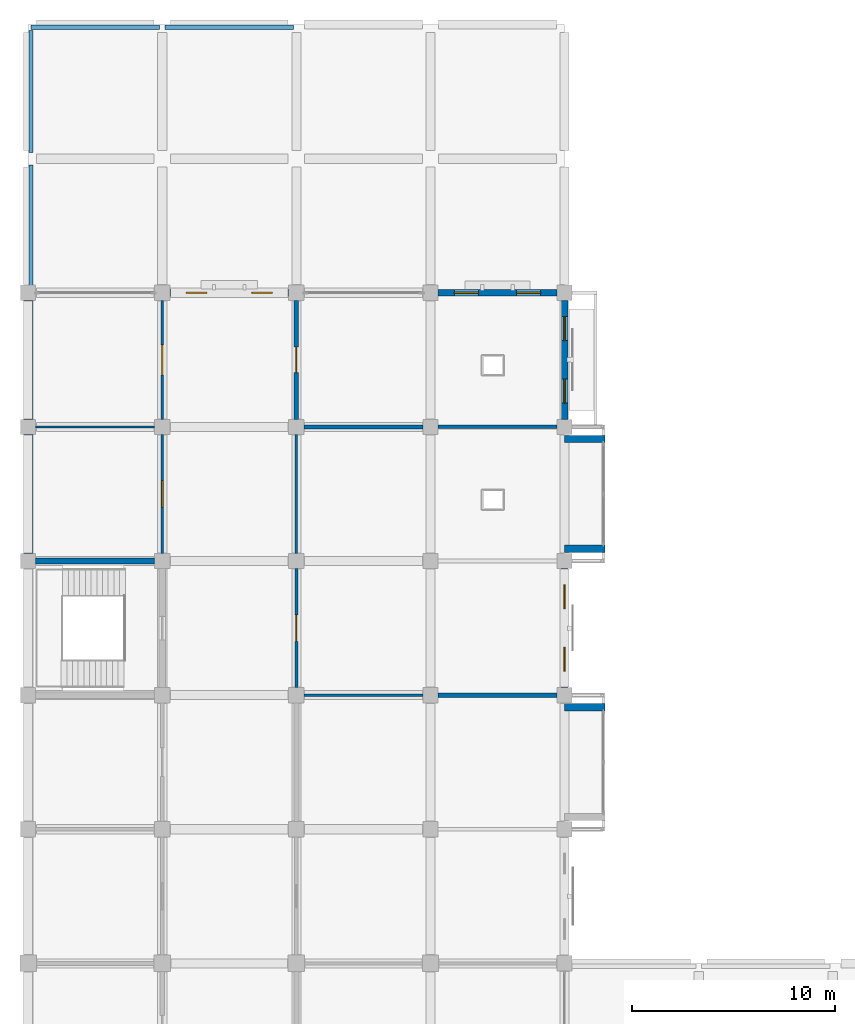
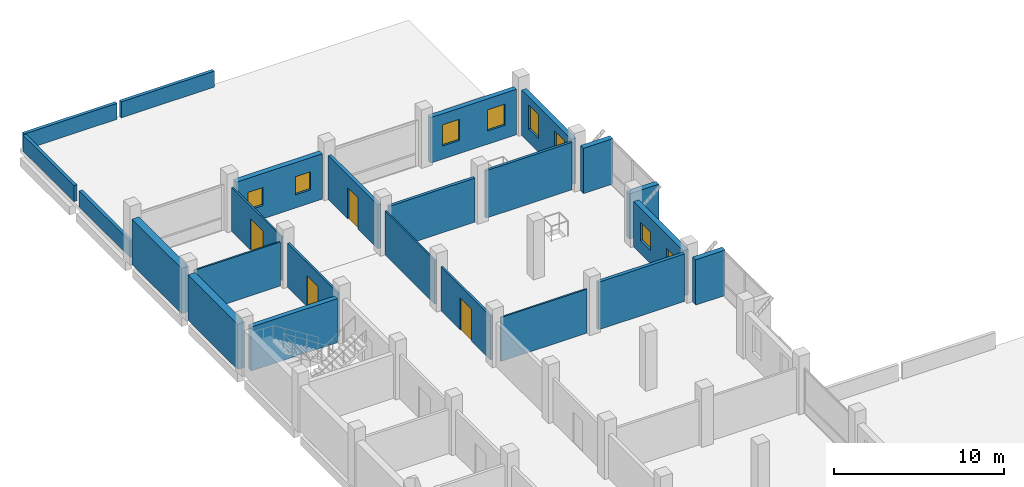
# One storey, part 18 of 23: 24 walls, 8 windows, 4 doors, 12 openings.
"""IFC4 building model written with IfcOpenShell, lengths in metres."""

from ifc_helpers import new_model, si_unit, direction, frame, frame_2d, origin, place, context, subcontext, project, spatial, rectangle, extrude, material, layer, layer_set, type_object, element, fill, save


model = new_model("IFC4")

# Units and contexts
model_context = context("Model", 3, precision=1e-05, world=origin(), true_north=direction((0.0, 1.0)))
body_context = subcontext(model_context, "Body", "Model", "MODEL_VIEW")
ifc_project = project(units=[si_unit("LENGTHUNIT", "METRE"), si_unit("AREAUNIT", "SQUARE_METRE"), si_unit("VOLUMEUNIT", "CUBIC_METRE"), si_unit("PLANEANGLEUNIT", "RADIAN"), si_unit("MASSUNIT", "GRAM", prefix="KILO")], contexts=[model_context])

# Site, building, storey
site_placement = place(None, origin())
site = spatial("IfcSite", under=ifc_project, at=site_placement, CompositionType="ELEMENT")
building_placement = place(site_placement, origin())
building = spatial("IfcBuilding", under=site, at=building_placement, Name="Rusizi Kubbe Research Institute", CompositionType="ELEMENT")
storey_placement = place(building_placement, frame((0.0, 0.0, 18.60009765625)))
storey = spatial("IfcBuildingStorey", under=building, at=storey_placement, Name="L04", CompositionType="ELEMENT", Elevation=18.60009765625)

# Wall
ifc_material_1 = material(Name="Concrete C45/55", Category="concrete")
ifc_layer_1 = layer(ifc_material_1, 0.31494140625)
ifc_layer_set_1 = layer_set([ifc_layer_1], Name="Concrete C45/55")
wall_type_1 = type_object("IfcWallType", Name="CRW-02", PredefinedType="SHEAR", material=ifc_layer_set_1)
wall_1_placement = place(storey_placement, frame((0.375, 72.60009765625, 0.0), z_axis=(0.0, 0.0, 1.0), x_axis=(1.0, 0.0, 0.0)))
element("IfcWall", 1, at=wall_1_placement, inside=storey, type_object=wall_type_1, Name="Stair Core Shear Wall ST5 L04 N", PredefinedType="SHEAR", context=body_context, shape_type="SweptSolid", body=[
    extrude(rectangle(XDim=5.85009765625, YDim=0.31494140625, at=frame_2d((2.925048828125, 0.0))), origin(), (0.0, 0.0, 1.0), 3.159912109375),
])

# Wall, openings, windows
ifc_material_2 = material(Name="Volcanic Basalt Ashlar Masonry", Category="masonry")
ifc_layer_2 = layer(ifc_material_2, 0.35498046875)
ifc_layer_set_2 = layer_set([ifc_layer_2], Name="Volcanic Basalt Ashlar Masonry")
wall_type_2 = type_object("IfcWallType", Name="EW-06", PredefinedType="SOLIDWALL", material=ifc_layer_set_2)
wall_2_placement = place(storey_placement, frame((6.97509765625, 85.800048828125, 0.0), z_axis=(0.0, 0.0, 1.0), x_axis=(1.0, 0.0, 0.0)))
wall_2 = element("IfcWall", 2, at=wall_2_placement, inside=storey, type_object=wall_type_2, Name="Ablaq Stone Exterior Wall L04 H1-13", PredefinedType="SOLIDWALL", context=body_context, shape_type="SweptSolid", body=[
    extrude(rectangle(XDim=5.849853515625, YDim=0.35498046875, at=frame_2d((2.9248046875, 0.0))), origin(), (0.0, 0.0, 1.0), 3.260009765625),
])
opening_1_placement = place(wall_2_placement, frame((0.800048828125, 0.0, 0.949951171875)))
opening_1 = element("IfcOpeningElement", 3, at=opening_1_placement, cuts=wall_2, Name="Opening WN-05", PredefinedType="OPENING", context=body_context, shape_type="SweptSolid", body=[
    extrude(rectangle(XDim=1.02001953125, YDim=1.300048828125, at=frame_2d((0.510009765625, 0.64990234375))), frame((0.0, 0.1875, 0.0), z_axis=(0.0, -1.0, 0.0), x_axis=(1.0, 0.0, 0.0)), (0.0, 0.0, 1.0), 0.375),
])
opening_2_placement = place(wall_2_placement, frame((4.030029296875, 0.0, 0.949951171875)))
opening_2 = element("IfcOpeningElement", 4, at=opening_2_placement, cuts=wall_2, Name="Opening WN-05", PredefinedType="OPENING", context=body_context, shape_type="SweptSolid", body=[
    extrude(rectangle(XDim=1.02001953125, YDim=1.300048828125, at=frame_2d((0.510009765625, 0.64990234375))), frame((0.0, 0.1875, 0.0), z_axis=(0.0, -1.0, 0.0), x_axis=(1.0, 0.0, 0.0)), (0.0, 0.0, 1.0), 0.375),
])
ifc_material_3 = material(Name="Aluminium Frame and Solar-Control Double Glazing", Category="glass")
window_type_1 = type_object("IfcWindowType", Name="WN-05", PartitioningType="SINGLE_PANEL", PredefinedType="WINDOW", material=ifc_material_3)
window_1_placement = place(opening_1_placement, origin())
window_1 = element("IfcWindow", 5, at=window_1_placement, inside=storey, type_object=window_type_1, Name="Casement Window WN-05 L04", OverallHeight=1.300048828125, OverallWidth=1.02001953125, PartitioningType="SINGLE_PANEL", PredefinedType="WINDOW", context=body_context, shape_type="SweptSolid", body=[
    extrude(rectangle(XDim=1.02001953125, YDim=1.300048828125, at=frame_2d((0.510009765625, 0.64990234375))), frame((0.0, 0.030029296875, 0.0), z_axis=(0.0, -1.0, 0.0), x_axis=(1.0, 0.0, 0.0)), (0.0, 0.0, 1.0), 0.06005859375),
])
fill(opening_1, window_1)
window_2_placement = place(opening_2_placement, origin())
window_2 = element("IfcWindow", 6, at=window_2_placement, inside=storey, type_object=window_type_1, Name="Casement Window WN-05 L04", OverallHeight=1.300048828125, OverallWidth=1.02001953125, PartitioningType="SINGLE_PANEL", PredefinedType="WINDOW", context=body_context, shape_type="SweptSolid", body=[
    extrude(rectangle(XDim=1.02001953125, YDim=1.300048828125, at=frame_2d((0.510009765625, 0.64990234375))), frame((0.0, 0.030029296875, 0.0), z_axis=(0.0, -1.0, 0.0), x_axis=(1.0, 0.0, 0.0)), (0.0, 0.0, 1.0), 0.06005859375),
])
fill(opening_2, window_2)

# Wall
wall_3_placement = place(storey_placement, frame((26.39990234375, 65.39990234375, 0.0), z_axis=(0.0, 0.0, 1.0), x_axis=(1.0, 0.0, 0.0)))
element("IfcWall", 7, at=wall_3_placement, inside=storey, type_object=wall_type_2, Name="Cumba Return Wall N L04 (4,9)", PredefinedType="SOLIDWALL", context=body_context, shape_type="SweptSolid", body=[
    extrude(rectangle(XDim=2.0, YDim=0.35498046875, at=frame_2d((1.0, 0.0))), origin(), (0.0, 0.0, 1.0), 3.260009765625),
])

# Wall, openings, windows
wall_4_placement = place(storey_placement, frame((26.39990234375, 66.375, 0.0), z_axis=(0.0, 0.0, 1.0), x_axis=(0.0, 1.0, 0.0)))
wall_4 = element("IfcWall", 8, at=wall_4_placement, inside=storey, type_object=wall_type_2, Name="Ablaq Stone Exterior Wall L04 V4-10", PredefinedType="SOLIDWALL", context=body_context, shape_type="SweptSolid", body=[
    extrude(rectangle(XDim=5.85009765625, YDim=0.35498046875, at=frame_2d((2.925048828125, 0.0))), origin(), (0.0, 0.0, 1.0), 3.260009765625),
])
opening_3_placement = place(wall_4_placement, frame((0.800048828125, 0.0, 0.949951171875)))
opening_3 = element("IfcOpeningElement", 9, at=opening_3_placement, cuts=wall_4, Name="Opening WN-09", PredefinedType="OPENING", context=body_context, shape_type="SweptSolid", body=[
    extrude(rectangle(XDim=1.179931640625, YDim=1.300048828125, at=frame_2d((0.58984375, 0.64990234375))), frame((0.0, 0.1875, 0.0), z_axis=(0.0, -1.0, 0.0), x_axis=(1.0, 0.0, 0.0)), (0.0, 0.0, 1.0), 0.375),
])
opening_4_placement = place(wall_4_placement, frame((3.8701171875, 0.0, 0.949951171875)))
opening_4 = element("IfcOpeningElement", 10, at=opening_4_placement, cuts=wall_4, Name="Opening WN-09", PredefinedType="OPENING", context=body_context, shape_type="SweptSolid", body=[
    extrude(rectangle(XDim=1.179931640625, YDim=1.300048828125, at=frame_2d((0.58984375, 0.64990234375))), frame((0.0, 0.1875, 0.0), z_axis=(0.0, -1.0, 0.0), x_axis=(1.0, 0.0, 0.0)), (0.0, 0.0, 1.0), 0.375),
])
ifc_material_4 = material(Name="Aluminium Frame and Solar-Control Double Glazing", Category="glass")
window_type_2 = type_object("IfcWindowType", Name="WN-09", PartitioningType="SINGLE_PANEL", PredefinedType="WINDOW", material=ifc_material_4)
window_3_placement = place(opening_3_placement, origin())
window_3 = element("IfcWindow", 11, at=window_3_placement, inside=storey, type_object=window_type_2, Name="Casement Window WN-09 L04", OverallHeight=1.300048828125, OverallWidth=1.179931640625, PartitioningType="SINGLE_PANEL", PredefinedType="WINDOW", context=body_context, shape_type="SweptSolid", body=[
    extrude(rectangle(XDim=1.179931640625, YDim=1.300048828125, at=frame_2d((0.58984375, 0.64990234375))), frame((0.0, 0.030029296875, 0.0), z_axis=(0.0, -1.0, 0.0), x_axis=(1.0, 0.0, 0.0)), (0.0, 0.0, 1.0), 0.06005859375),
])
fill(opening_3, window_3)
window_4_placement = place(opening_4_placement, origin())
window_4 = element("IfcWindow", 12, at=window_4_placement, inside=storey, type_object=window_type_2, Name="Casement Window WN-09 L04", OverallHeight=1.300048828125, OverallWidth=1.179931640625, PartitioningType="SINGLE_PANEL", PredefinedType="WINDOW", context=body_context, shape_type="SweptSolid", body=[
    extrude(rectangle(XDim=1.179931640625, YDim=1.300048828125, at=frame_2d((0.58984375, 0.64990234375))), frame((0.0, 0.030029296875, 0.0), z_axis=(0.0, -1.0, 0.0), x_axis=(1.0, 0.0, 0.0)), (0.0, 0.0, 1.0), 0.06005859375),
])
fill(opening_4, window_4)

# Walls
for number, where, z_axis, x_axis, name in (
    (13, (26.39990234375, 73.199951171875, 0.0), (0.0, 0.0, 1.0), (1.0, 0.0, 0.0), "Cumba Return Wall S L04 (4,11)"),
    (14, (26.39990234375, 78.60009765625, 0.0), (0.0, 0.0, 1.0), (1.0, 0.0, 0.0), "Cumba Return Wall N L04 (4,11)"),
):
    element("IfcWall", number, at=place(storey_placement, frame(where, z_axis=z_axis, x_axis=x_axis)), inside=storey, type_object=wall_type_2, Name=name, PredefinedType="SOLIDWALL", context=body_context, shape_type="SweptSolid", body=[
        extrude(rectangle(XDim=2.0, YDim=0.35498046875, at=frame_2d((1.0, 0.0))), origin(), (0.0, 0.0, 1.0), 3.260009765625),
    ])

# Wall, openings, windows
ifc_material_5 = material(Name="Volcanic Basalt Ashlar Masonry", Category="masonry")
ifc_layer_3 = layer(ifc_material_5, 0.324951171875)
ifc_layer_set_3 = layer_set([ifc_layer_3], Name="Volcanic Basalt Ashlar Masonry")
wall_type_3 = type_object("IfcWallType", Name="EW-08", PredefinedType="SOLIDWALL", material=ifc_layer_set_3)
wall_5_placement = place(storey_placement, frame((20.175048828125, 85.800048828125, 0.0), z_axis=(0.0, 0.0, 1.0), x_axis=(1.0, 0.0, 0.0)))
wall_5 = element("IfcWall", 15, at=wall_5_placement, inside=storey, type_object=wall_type_3, Name="Ablaq Stone Exterior Wall L04 H3-13", PredefinedType="SOLIDWALL", context=body_context, shape_type="SweptSolid", body=[
    extrude(rectangle(XDim=5.849853515625, YDim=0.324951171875, at=frame_2d((2.9248046875, 0.0))), origin(), (0.0, 0.0, 1.0), 3.260009765625),
])
opening_5_placement = place(wall_5_placement, frame((0.800048828125, 0.0, 0.949951171875)))
opening_5 = element("IfcOpeningElement", 16, at=opening_5_placement, cuts=wall_5, Name="Opening WN-10", PredefinedType="OPENING", context=body_context, shape_type="SweptSolid", body=[
    extrude(rectangle(XDim=1.179931640625, YDim=1.52001953125, at=frame_2d((0.58984375, 0.760009765625))), frame((0.0, 0.17236328125, 0.0), z_axis=(0.0, -1.0, 0.0), x_axis=(1.0, 0.0, 0.0)), (0.0, 0.0, 1.0), 0.344970703125),
])
opening_6_placement = place(wall_5_placement, frame((3.8701171875, 0.0, 0.949951171875)))
opening_6 = element("IfcOpeningElement", 17, at=opening_6_placement, cuts=wall_5, Name="Opening WN-10", PredefinedType="OPENING", context=body_context, shape_type="SweptSolid", body=[
    extrude(rectangle(XDim=1.179931640625, YDim=1.52001953125, at=frame_2d((0.58984375, 0.760009765625))), frame((0.0, 0.17236328125, 0.0), z_axis=(0.0, -1.0, 0.0), x_axis=(1.0, 0.0, 0.0)), (0.0, 0.0, 1.0), 0.344970703125),
])
ifc_material_6 = material(Name="Aluminium Frame and Solar-Control Double Glazing", Category="glass")
window_type_3 = type_object("IfcWindowType", Name="WN-10", PartitioningType="SINGLE_PANEL", PredefinedType="WINDOW", material=ifc_material_6)
window_5_placement = place(opening_5_placement, origin())
window_5 = element("IfcWindow", 18, at=window_5_placement, inside=storey, type_object=window_type_3, Name="Casement Window WN-10 L04", OverallHeight=1.52001953125, OverallWidth=1.179931640625, PartitioningType="SINGLE_PANEL", PredefinedType="WINDOW", context=body_context, shape_type="SweptSolid", body=[
    extrude(rectangle(XDim=1.179931640625, YDim=1.52001953125, at=frame_2d((0.58984375, 0.760009765625))), frame((0.0, 0.030029296875, 0.0), z_axis=(0.0, -1.0, 0.0), x_axis=(1.0, 0.0, 0.0)), (0.0, 0.0, 1.0), 0.06005859375),
])
fill(opening_5, window_5)
window_6_placement = place(opening_6_placement, origin())
window_6 = element("IfcWindow", 19, at=window_6_placement, inside=storey, type_object=window_type_3, Name="Casement Window WN-10 L04", OverallHeight=1.52001953125, OverallWidth=1.179931640625, PartitioningType="SINGLE_PANEL", PredefinedType="WINDOW", context=body_context, shape_type="SweptSolid", body=[
    extrude(rectangle(XDim=1.179931640625, YDim=1.52001953125, at=frame_2d((0.58984375, 0.760009765625))), frame((0.0, 0.030029296875, 0.0), z_axis=(0.0, -1.0, 0.0), x_axis=(1.0, 0.0, 0.0)), (0.0, 0.0, 1.0), 0.06005859375),
])
fill(opening_6, window_6)

wall_6_placement = place(storey_placement, frame((26.39990234375, 79.574951171875, 0.0), z_axis=(0.0, 0.0, 1.0), x_axis=(0.0, 1.0, 0.0)))
wall_6 = element("IfcWall", 20, at=wall_6_placement, inside=storey, type_object=wall_type_3, Name="Ablaq Stone Exterior Wall L04 V4-12", PredefinedType="SOLIDWALL", context=body_context, shape_type="SweptSolid", body=[
    extrude(rectangle(XDim=5.85009765625, YDim=0.324951171875, at=frame_2d((2.925048828125, 0.0))), origin(), (0.0, 0.0, 1.0), 3.260009765625),
])
opening_7_placement = place(wall_6_placement, frame((0.800048828125, 0.0, 0.949951171875)))
opening_7 = element("IfcOpeningElement", 21, at=opening_7_placement, cuts=wall_6, Name="Opening WN-11", PredefinedType="OPENING", context=body_context, shape_type="SweptSolid", body=[
    extrude(rectangle(XDim=1.179931640625, YDim=1.739990234375, at=frame_2d((0.58984375, 0.8701171875))), frame((0.0, 0.17236328125, 0.0), z_axis=(0.0, -1.0, 0.0), x_axis=(1.0, 0.0, 0.0)), (0.0, 0.0, 1.0), 0.344970703125),
])
opening_8_placement = place(wall_6_placement, frame((3.8701171875, 0.0, 0.949951171875)))
opening_8 = element("IfcOpeningElement", 22, at=opening_8_placement, cuts=wall_6, Name="Opening WN-11", PredefinedType="OPENING", context=body_context, shape_type="SweptSolid", body=[
    extrude(rectangle(XDim=1.179931640625, YDim=1.739990234375, at=frame_2d((0.58984375, 0.8701171875))), frame((0.0, 0.17236328125, 0.0), z_axis=(0.0, -1.0, 0.0), x_axis=(1.0, 0.0, 0.0)), (0.0, 0.0, 1.0), 0.344970703125),
])
ifc_material_7 = material(Name="Aluminium Frame and Solar-Control Double Glazing", Category="glass")
window_type_4 = type_object("IfcWindowType", Name="WN-11", PartitioningType="SINGLE_PANEL", PredefinedType="WINDOW", material=ifc_material_7)
window_7_placement = place(opening_7_placement, origin())
window_7 = element("IfcWindow", 23, at=window_7_placement, inside=storey, type_object=window_type_4, Name="Casement Window WN-11 L04", OverallHeight=1.739990234375, OverallWidth=1.179931640625, PartitioningType="SINGLE_PANEL", PredefinedType="WINDOW", context=body_context, shape_type="SweptSolid", body=[
    extrude(rectangle(XDim=1.179931640625, YDim=1.739990234375, at=frame_2d((0.58984375, 0.8701171875))), frame((0.0, 0.030029296875, 0.0), z_axis=(0.0, -1.0, 0.0), x_axis=(1.0, 0.0, 0.0)), (0.0, 0.0, 1.0), 0.06005859375),
])
fill(opening_7, window_7)
window_8_placement = place(opening_8_placement, origin())
window_8 = element("IfcWindow", 24, at=window_8_placement, inside=storey, type_object=window_type_4, Name="Casement Window WN-11 L04", OverallHeight=1.739990234375, OverallWidth=1.179931640625, PartitioningType="SINGLE_PANEL", PredefinedType="WINDOW", context=body_context, shape_type="SweptSolid", body=[
    extrude(rectangle(XDim=1.179931640625, YDim=1.739990234375, at=frame_2d((0.58984375, 0.8701171875))), frame((0.0, 0.030029296875, 0.0), z_axis=(0.0, -1.0, 0.0), x_axis=(1.0, 0.0, 0.0)), (0.0, 0.0, 1.0), 0.06005859375),
])
fill(opening_8, window_8)

# Wall, opening, door
ifc_material_8 = material(Name="Concrete Blockwork Fire Partition", Category="masonry")
ifc_layer_4 = layer(ifc_material_8, 0.22509765625)
ifc_layer_set_4 = layer_set([ifc_layer_4], Name="Concrete Blockwork Fire Partition")
wall_type_4 = type_object("IfcWallType", Name="IW-01", PredefinedType="PARTITIONING", material=ifc_layer_set_4)
wall_7_placement = place(storey_placement, frame((13.199951171875, 79.574951171875, 0.0), z_axis=(0.0, 0.0, 1.0), x_axis=(0.0, 1.0, 0.0)))
wall_7 = element("IfcWall", 25, at=wall_7_placement, inside=storey, type_object=wall_type_4, Name="Interior Partition Wall L04 V2-12", PredefinedType="PARTITIONING", context=body_context, shape_type="SweptSolid", body=[
    extrude(rectangle(XDim=5.85009765625, YDim=0.22509765625, at=frame_2d((2.925048828125, 0.0))), origin(), (0.0, 0.0, 1.0), 3.159912109375),
])
opening_9_placement = place(wall_7_placement, frame((2.300048828125, 0.0, 0.0)))
opening_9 = element("IfcOpeningElement", 26, at=opening_9_placement, cuts=wall_7, Name="Opening D-15", PredefinedType="OPENING", context=body_context, shape_type="SweptSolid", body=[
    extrude(rectangle(XDim=1.25, YDim=2.25, at=frame_2d((0.625, 1.125))), frame((0.0, 0.12255859375, 0.0), z_axis=(0.0, -1.0, 0.0), x_axis=(1.0, 0.0, 0.0)), (0.0, 0.0, 1.0), 0.2451171875),
])
ifc_material_9 = material(Name="Fire-Rated Steel Frame and Acoustic Timber Leaf", Category="wood")
door_type_1 = type_object("IfcDoorType", Name="ID-LAB-125", OperationType="NOTDEFINED", PredefinedType="DOOR", material=ifc_material_9)
door_1_placement = place(opening_9_placement, origin())
door_1 = element("IfcDoor", 27, at=door_1_placement, inside=storey, type_object=door_type_1, Name="Door to Computational Dry Laboratory (L04-NW-06)", OperationType="SINGLE_SWING_LEFT", OverallHeight=2.25, OverallWidth=1.25, PredefinedType="DOOR", context=body_context, shape_type="SweptSolid", body=[
    extrude(rectangle(XDim=1.25, YDim=2.25, at=frame_2d((0.625, 1.125))), frame((0.0, 0.02490234375, 0.0), z_axis=(0.0, -1.0, 0.0), x_axis=(1.0, 0.0, 0.0)), (0.0, 0.0, 1.0), 0.050048828125),
])
fill(opening_9, door_1)

# Walls
wall_8_placement = place(storey_placement, frame((20.175048828125, 66.0, 0.0), z_axis=(0.0, 0.0, 1.0), x_axis=(1.0, 0.0, 0.0)))
element("IfcWall", 28, at=wall_8_placement, inside=storey, type_object=wall_type_4, Name="Interior Partition Wall L04 H3-10", PredefinedType="PARTITIONING", context=body_context, shape_type="SweptSolid", body=[
    extrude(rectangle(XDim=5.849853515625, YDim=0.22509765625, at=frame_2d((2.9248046875, 0.0))), origin(), (0.0, 0.0, 1.0), 3.409912109375),
])
ifc_material_10 = material(Name="Insulated Cleanroom Partition", Category="masonry")
ifc_layer_5 = layer(ifc_material_10, 0.195068359375)
ifc_layer_set_5 = layer_set([ifc_layer_5], Name="Insulated Cleanroom Partition")
wall_type_5 = type_object("IfcWallType", Name="IW-02", PredefinedType="PARTITIONING", material=ifc_layer_set_5)
wall_9_placement = place(storey_placement, frame((13.574951171875, 79.199951171875, 0.0), z_axis=(0.0, 0.0, 1.0), x_axis=(1.0, 0.0, 0.0)))
element("IfcWall", 29, at=wall_9_placement, inside=storey, type_object=wall_type_5, Name="Interior Partition Wall L04 H2-12", PredefinedType="PARTITIONING", context=body_context, shape_type="SweptSolid", body=[
    extrude(rectangle(XDim=5.85009765625, YDim=0.195068359375, at=frame_2d((2.925048828125, 0.0))), origin(), (0.0, 0.0, 1.0), 3.159912109375),
])
ifc_material_11 = material(Name="Acoustic Laboratory Partition", Category="masonry")
ifc_layer_6 = layer(ifc_material_11, 0.175048828125)
ifc_layer_set_6 = layer_set([ifc_layer_6], Name="Acoustic Laboratory Partition")
wall_type_6 = type_object("IfcWallType", Name="IW-03", PredefinedType="PARTITIONING", material=ifc_layer_set_6)
wall_10_placement = place(storey_placement, frame((20.175048828125, 79.199951171875, 0.0), z_axis=(0.0, 0.0, 1.0), x_axis=(1.0, 0.0, 0.0)))
element("IfcWall", 30, at=wall_10_placement, inside=storey, type_object=wall_type_6, Name="Interior Partition Wall L04 H3-12", PredefinedType="PARTITIONING", context=body_context, shape_type="SweptSolid", body=[
    extrude(rectangle(XDim=5.849853515625, YDim=0.175048828125, at=frame_2d((2.9248046875, 0.0))), origin(), (0.0, 0.0, 1.0), 3.409912109375),
])

# Wall, opening, door
ifc_material_12 = material(Name="Write-up Glazed Acoustic Partition", Category="masonry")
ifc_layer_7 = layer(ifc_material_12, 0.139892578125)
ifc_layer_set_7 = layer_set([ifc_layer_7], Name="Write-up Glazed Acoustic Partition")
wall_type_7 = type_object("IfcWallType", Name="IW-05", PredefinedType="PARTITIONING", material=ifc_layer_set_7)
wall_11_placement = place(storey_placement, frame((6.60009765625, 72.97509765625, 0.0), z_axis=(0.0, 0.0, 1.0), x_axis=(0.0, 1.0, 0.0)))
wall_11 = element("IfcWall", 31, at=wall_11_placement, inside=storey, type_object=wall_type_7, Name="Interior Partition Wall L04 V1-11", PredefinedType="PARTITIONING", context=body_context, shape_type="SweptSolid", body=[
    extrude(rectangle(XDim=5.849853515625, YDim=0.139892578125, at=frame_2d((2.9248046875, 0.0))), origin(), (0.0, 0.0, 1.0), 3.159912109375),
])
opening_10_placement = place(wall_11_placement, frame((2.264892578125, 0.0, 0.0)))
opening_10 = element("IfcOpeningElement", 32, at=opening_10_placement, cuts=wall_11, Name="Opening LD-07", PredefinedType="OPENING", context=body_context, shape_type="SweptSolid", body=[
    extrude(rectangle(XDim=1.320068359375, YDim=2.199951171875, at=frame_2d((0.66015625, 1.10009765625))), frame((0.0, 0.079833984375, 0.0), z_axis=(0.0, -1.0, 0.0), x_axis=(1.0, 0.0, 0.0)), (0.0, 0.0, 1.0), 0.159912109375),
])
ifc_material_13 = material(Name="Brushed Stainless Steel Sliding Door", Category="steel")
door_type_2 = type_object("IfcDoorType", Name="LD-07", OperationType="DOUBLE_DOOR_SLIDING", PredefinedType="USERDEFINED", material=ifc_material_13)
door_2_placement = place(opening_10_placement, origin())
door_2 = element("IfcDoor", 33, at=door_2_placement, inside=storey, type_object=door_type_2, Name="Door to Clean Room Gowning Airlock (L04-ALK-11)", ObjectType="SLIDING DOOR", OperationType="DOUBLE_DOOR_SLIDING", OverallHeight=2.199951171875, OverallWidth=1.320068359375, PredefinedType="USERDEFINED", context=body_context, shape_type="SweptSolid", body=[
    extrude(rectangle(XDim=1.320068359375, YDim=2.199951171875, at=frame_2d((0.66015625, 1.10009765625))), frame((0.0, 0.02490234375, 0.0), z_axis=(0.0, -1.0, 0.0), x_axis=(1.0, 0.0, 0.0)), (0.0, 0.0, 1.0), 0.050048828125),
])
fill(opening_10, door_2)

wall_12_placement = place(storey_placement, frame((13.199951171875, 66.375, 0.0), z_axis=(0.0, 0.0, 1.0), x_axis=(0.0, 1.0, 0.0)))
wall_12 = element("IfcWall", 34, at=wall_12_placement, inside=storey, type_object=wall_type_7, Name="Interior Partition Wall L04 V2-10", PredefinedType="PARTITIONING", context=body_context, shape_type="SweptSolid", body=[
    extrude(rectangle(XDim=5.85009765625, YDim=0.139892578125, at=frame_2d((2.925048828125, 0.0))), origin(), (0.0, 0.0, 1.0), 3.159912109375),
])
opening_11_placement = place(wall_12_placement, frame((2.27490234375, 0.0, 0.0)))
opening_11 = element("IfcOpeningElement", 35, at=opening_11_placement, cuts=wall_12, Name="Opening D-14", PredefinedType="OPENING", context=body_context, shape_type="SweptSolid", body=[
    extrude(rectangle(XDim=1.300048828125, YDim=2.300048828125, at=frame_2d((0.64990234375, 1.14990234375))), frame((0.0, 0.079833984375, 0.0), z_axis=(0.0, -1.0, 0.0), x_axis=(1.0, 0.0, 0.0)), (0.0, 0.0, 1.0), 0.159912109375),
])
ifc_material_14 = material(Name="Fire-Rated Steel Frame and Acoustic Timber Leaf", Category="wood")
door_type_3 = type_object("IfcDoorType", Name="ID-LAB-130", OperationType="NOTDEFINED", PredefinedType="DOOR", material=ifc_material_14)
door_3_placement = place(opening_11_placement, origin())
door_3 = element("IfcDoor", 36, at=door_3_placement, inside=storey, type_object=door_type_3, Name="Door to Bioscience Wet Laboratory (L04-NW-05)", OperationType="SINGLE_SWING_RIGHT", OverallHeight=2.300048828125, OverallWidth=1.300048828125, PredefinedType="DOOR", context=body_context, shape_type="SweptSolid", body=[
    extrude(rectangle(XDim=1.300048828125, YDim=2.300048828125, at=frame_2d((0.64990234375, 1.14990234375))), frame((0.0, 0.02490234375, 0.0), z_axis=(0.0, -1.0, 0.0), x_axis=(1.0, 0.0, 0.0)), (0.0, 0.0, 1.0), 0.050048828125),
])
fill(opening_11, door_3)

# Wall
ifc_material_15 = material(Name="Sub-Suite Fire Partition", Category="masonry")
ifc_layer_8 = layer(ifc_material_15, 0.110107421875)
ifc_layer_set_8 = layer_set([ifc_layer_8], Name="Sub-Suite Fire Partition")
wall_type_8 = type_object("IfcWallType", Name="IW-07", PredefinedType="PARTITIONING", material=ifc_layer_set_8)
wall_13_placement = place(storey_placement, frame((0.375, 79.199951171875, 0.0), z_axis=(0.0, 0.0, 1.0), x_axis=(1.0, 0.0, 0.0)))
element("IfcWall", 37, at=wall_13_placement, inside=storey, type_object=wall_type_8, Name="Interior Partition Wall L04 H0-12", PredefinedType="PARTITIONING", context=body_context, shape_type="SweptSolid", body=[
    extrude(rectangle(XDim=5.85009765625, YDim=0.110107421875, at=frame_2d((2.925048828125, 0.0))), origin(), (0.0, 0.0, 1.0), 3.159912109375),
])

# Wall, opening, door
wall_14_placement = place(storey_placement, frame((6.60009765625, 79.574951171875, 0.0), z_axis=(0.0, 0.0, 1.0), x_axis=(0.0, 1.0, 0.0)))
wall_14 = element("IfcWall", 38, at=wall_14_placement, inside=storey, type_object=wall_type_8, Name="Interior Partition Wall L04 V1-12", PredefinedType="PARTITIONING", context=body_context, shape_type="SweptSolid", body=[
    extrude(rectangle(XDim=5.85009765625, YDim=0.110107421875, at=frame_2d((2.925048828125, 0.0))), origin(), (0.0, 0.0, 1.0), 3.159912109375),
])
opening_12_placement = place(wall_14_placement, frame((2.18505859375, 0.0, 0.0)))
opening_12 = element("IfcOpeningElement", 39, at=opening_12_placement, cuts=wall_14, Name="Opening LD-08", PredefinedType="OPENING", context=body_context, shape_type="SweptSolid", body=[
    extrude(rectangle(XDim=1.47998046875, YDim=2.25, at=frame_2d((0.739990234375, 1.125))), frame((0.0, 0.06494140625, 0.0), z_axis=(0.0, -1.0, 0.0), x_axis=(1.0, 0.0, 0.0)), (0.0, 0.0, 1.0), 0.130126953125),
])
ifc_material_16 = material(Name="Brushed Stainless Steel Sliding Door", Category="steel")
door_type_4 = type_object("IfcDoorType", Name="LD-08", OperationType="DOUBLE_DOOR_SLIDING", PredefinedType="USERDEFINED", material=ifc_material_16)
door_4_placement = place(opening_12_placement, origin())
door_4 = element("IfcDoor", 40, at=door_4_placement, inside=storey, type_object=door_type_4, Name="Door to ISO-6 Clean Room Suite (L04-CR-12)", ObjectType="SLIDING DOOR", OperationType="DOUBLE_DOOR_SLIDING", OverallHeight=2.25, OverallWidth=1.47998046875, PredefinedType="USERDEFINED", context=body_context, shape_type="SweptSolid", body=[
    extrude(rectangle(XDim=1.47998046875, YDim=2.25, at=frame_2d((0.739990234375, 1.125))), frame((0.0, 0.02490234375, 0.0), z_axis=(0.0, -1.0, 0.0), x_axis=(1.0, 0.0, 0.0)), (0.0, 0.0, 1.0), 0.050048828125),
])
fill(opening_12, door_4)

# Walls
wall_15_placement = place(storey_placement, frame((13.199951171875, 72.97509765625, 0.0), z_axis=(0.0, 0.0, 1.0), x_axis=(0.0, 1.0, 0.0)))
element("IfcWall", 41, at=wall_15_placement, inside=storey, type_object=wall_type_8, Name="Interior Partition Wall L04 V2-11", PredefinedType="PARTITIONING", context=body_context, shape_type="SweptSolid", body=[
    extrude(rectangle(XDim=5.849853515625, YDim=0.110107421875, at=frame_2d((2.9248046875, 0.0))), origin(), (0.0, 0.0, 1.0), 3.159912109375),
])
wall_16_placement = place(storey_placement, frame((13.574951171875, 66.0, 0.0), z_axis=(0.0, 0.0, 1.0), x_axis=(1.0, 0.0, 0.0)))
element("IfcWall", 42, at=wall_16_placement, inside=storey, type_object=wall_type_8, Name="Interior Partition Wall L04 H2-10", PredefinedType="PARTITIONING", context=body_context, shape_type="SweptSolid", body=[
    extrude(rectangle(XDim=5.85009765625, YDim=0.110107421875, at=frame_2d((2.925048828125, 0.0))), origin(), (0.0, 0.0, 1.0), 3.159912109375),
])
ifc_material_17 = material(Name="Volcanic Basalt Ashlar Masonry", Category="masonry")
ifc_layer_9 = layer(ifc_material_17, 0.215087890625)
ifc_layer_set_9 = layer_set([ifc_layer_9], Name="Volcanic Basalt Ashlar Masonry")
wall_type_9 = type_object("IfcWallType", Name="PRP-02", PredefinedType="PARAPET", material=ifc_layer_set_9)
wall_17_placement = place(storey_placement, frame((0.139892578125, 86.10009765625, 0.0), z_axis=(0.0, 0.0, 1.0), x_axis=(0.0, 1.0, 0.0)))
element("IfcWall", 43, at=wall_17_placement, inside=storey, type_object=wall_type_9, Name="Roof Parapet Wall L04-006", PredefinedType="PARAPET", context=body_context, shape_type="SweptSolid", body=[
    extrude(rectangle(XDim=6.0, YDim=0.215087890625, at=frame_2d((3.0, 0.0))), origin(), (0.0, 0.0, 1.0), 1.14990234375),
])
wall_18_placement = place(storey_placement, frame((0.139892578125, 98.860107421875, 0.0), z_axis=(0.0, 0.0, 1.0), x_axis=(1.0, 0.0, 0.0)))
element("IfcWall", 44, at=wall_18_placement, inside=storey, type_object=wall_type_9, Name="Roof Parapet Wall L04-007", PredefinedType="PARAPET", context=body_context, shape_type="SweptSolid", body=[
    extrude(rectangle(XDim=6.320068359375, YDim=0.215087890625, at=frame_2d((3.16015625, 0.0))), origin(), (0.0, 0.0, 1.0), 1.14990234375),
])
wall_19_placement = place(storey_placement, frame((0.139892578125, 92.699951171875, 0.0), z_axis=(0.0, 0.0, 1.0), x_axis=(0.0, 1.0, 0.0)))
element("IfcWall", 45, at=wall_19_placement, inside=storey, type_object=wall_type_9, Name="Roof Parapet Wall L04-008", PredefinedType="PARAPET", context=body_context, shape_type="SweptSolid", body=[
    extrude(rectangle(XDim=6.0, YDim=0.215087890625, at=frame_2d((3.0, 0.0))), origin(), (0.0, 0.0, 1.0), 1.14990234375),
])
wall_20_placement = place(storey_placement, frame((6.739990234375, 98.860107421875, 0.0), z_axis=(0.0, 0.0, 1.0), x_axis=(1.0, 0.0, 0.0)))
element("IfcWall", 46, at=wall_20_placement, inside=storey, type_object=wall_type_9, Name="Roof Parapet Wall L04-009", PredefinedType="PARAPET", context=body_context, shape_type="SweptSolid", body=[
    extrude(rectangle(XDim=6.320068359375, YDim=0.215087890625, at=frame_2d((3.16015625, 0.0))), origin(), (0.0, 0.0, 1.0), 1.14990234375),
])
ifc_material_18 = material(Name="Concrete C40/50", Category="concrete")
ifc_layer_10 = layer(ifc_material_18, 0.47998046875)
ifc_layer_set_10 = layer_set([ifc_layer_10], Name="Concrete C40/50")
wall_type_10 = type_object("IfcWallType", Name="PW-01", PredefinedType="SOLIDWALL", material=ifc_layer_set_10)
wall_21_placement = place(storey_placement, frame((0.0, 72.97509765625, 0.0), z_axis=(0.0, 0.0, 1.0), x_axis=(0.0, 1.0, 0.0)))
element("IfcWall", 47, at=wall_21_placement, inside=storey, type_object=wall_type_10, Name="Blind Party Wall L04 V0-11", PredefinedType="SOLIDWALL", context=body_context, shape_type="SweptSolid", body=[
    extrude(rectangle(XDim=5.849853515625, YDim=0.47998046875, at=frame_2d((2.9248046875, 0.0))), origin(), (0.0, 0.0, 1.0), 3.260009765625),
])
wall_22_placement = place(storey_placement, frame((0.0, 79.574951171875, 0.0), z_axis=(0.0, 0.0, 1.0), x_axis=(0.0, 1.0, 0.0)))
element("IfcWall", 48, at=wall_22_placement, inside=storey, type_object=wall_type_10, Name="Blind Party Wall L04 V0-12", PredefinedType="SOLIDWALL", context=body_context, shape_type="SweptSolid", body=[
    extrude(rectangle(XDim=5.85009765625, YDim=0.47998046875, at=frame_2d((2.925048828125, 0.0))), origin(), (0.0, 0.0, 1.0), 3.260009765625),
])

save(model, "model.ifc")
